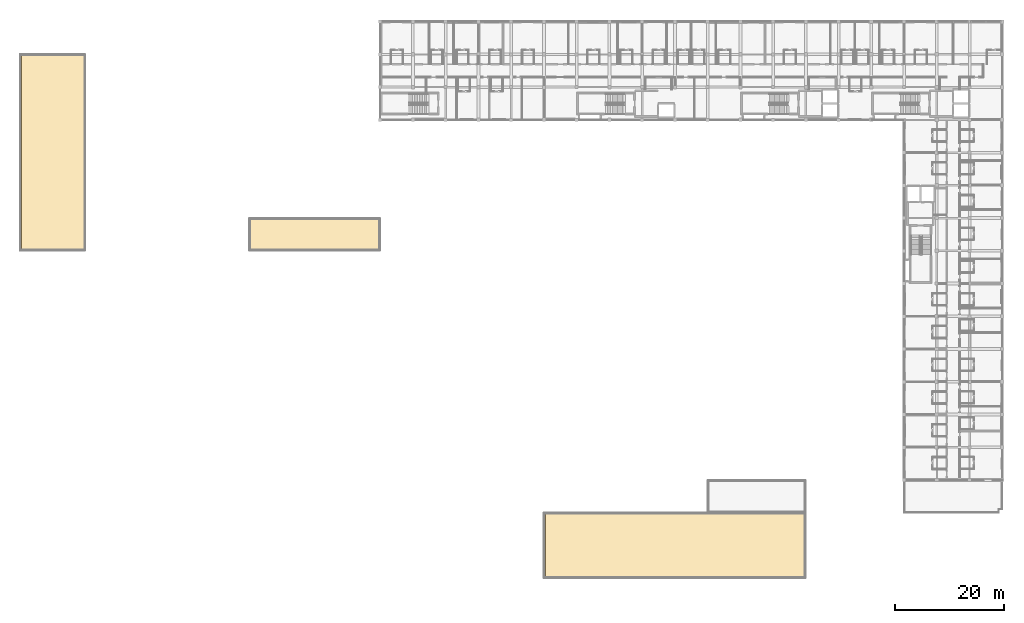
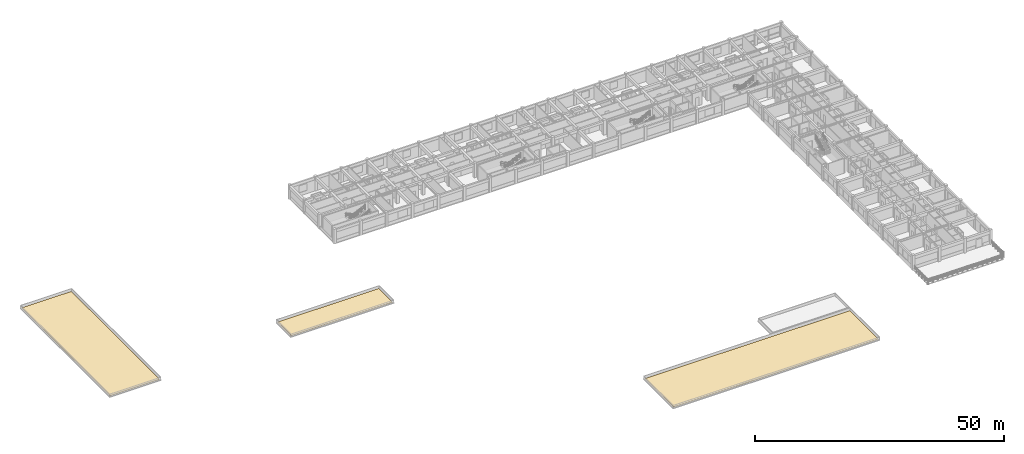
# One storey, part 20 of 25: 3 coverings.
"""IFC4 building model written with IfcOpenShell, lengths in metres."""

from ifc_helpers import new_model, si_unit, direction, frame, origin, place, context, subcontext, project, spatial, polyline, outline, extrude, material, layer, layer_set, type_object, element, save


model = new_model("IFC4")

# Units and contexts
model_context = context("Model", 3, precision=1e-05, world=origin(), true_north=direction((0.0, 1.0)))
body_context = subcontext(model_context, "Body", "Model", "MODEL_VIEW")
ifc_project = project(units=[si_unit("LENGTHUNIT", "METRE"), si_unit("AREAUNIT", "SQUARE_METRE"), si_unit("VOLUMEUNIT", "CUBIC_METRE"), si_unit("PLANEANGLEUNIT", "RADIAN"), si_unit("MASSUNIT", "GRAM", prefix="KILO"), si_unit("THERMODYNAMICTEMPERATUREUNIT", "KELVIN"), si_unit("POWERUNIT", "WATT")], contexts=[model_context])

# Site, building, storey
site_placement = place(None, origin())
site = spatial("IfcSite", under=ifc_project, at=site_placement, CompositionType="ELEMENT")
building_placement = place(site_placement, origin())
building = spatial("IfcBuilding", under=site, at=building_placement, Name="Phaisarnlok Congress Hotel", CompositionType="ELEMENT")
storey_placement = place(building_placement, frame((0.0, 0.0, 24.60009765625)))
storey = spatial("IfcBuildingStorey", under=building, at=storey_placement, Name="L05", CompositionType="ELEMENT", Elevation=24.60009765625)

# Coverings
ifc_material = material(Name="TPO Waterproofing Membrane & Rigid PIR Insulation", Category="other")
ifc_layer = layer(ifc_material, 0.050048828125, Name="TPO Waterproofing Membrane & Rigid PIR Insulation")
ifc_layer_set = layer_set([ifc_layer], Name="TPO Waterproofing Membrane & Rigid PIR Insulation")
covering_type = type_object("IfcCoveringType", Name="COV-ROOF-MEMB", PredefinedType="ROOFING", material=ifc_layer_set)
covering_1_placement = place(storey_placement, origin())
element("IfcCovering", 1, at=covering_1_placement, inside=storey, type_object=covering_type, Name="Podium roof waterproofing membrane RF-01 (L05 pod_ball_pav)", PredefinedType="ROOFING", context=body_context, shape_type="SweptSolid", body=[
    extrude(outline(polyline([(96.25, 24.25), (143.75, 24.25), (143.75, 35.75), (96.25, 35.75), (96.25, 24.25)])), origin(), (0.0, 0.0, 1.0), 0.0498046875),
])
covering_2_placement = place(storey_placement, origin())
element("IfcCovering", 2, at=covering_2_placement, inside=storey, type_object=covering_type, Name="Podium roof waterproofing membrane RF-01 (L05 pod_spa_tea)", PredefinedType="ROOFING", context=body_context, shape_type="SweptSolid", body=[
    extrude(outline(polyline([(0.25, 84.25), (11.75, 84.25), (11.75, 119.75), (0.25, 119.75), (0.25, 84.25)])), origin(), (0.0, 0.0, 1.0), 0.0498046875),
])
covering_3_placement = place(storey_placement, origin())
element("IfcCovering", 3, at=covering_3_placement, inside=storey, type_object=covering_type, Name="Podium roof waterproofing membrane RF-01 (L05 pod_core5_cap)", PredefinedType="ROOFING", context=body_context, shape_type="SweptSolid", body=[
    extrude(outline(polyline([(42.25, 84.25), (65.75, 84.25), (65.75, 89.75), (42.25, 89.75), (42.25, 84.25)])), origin(), (0.0, 0.0, 1.0), 0.0498046875),
])

save(model, "model.ifc")
